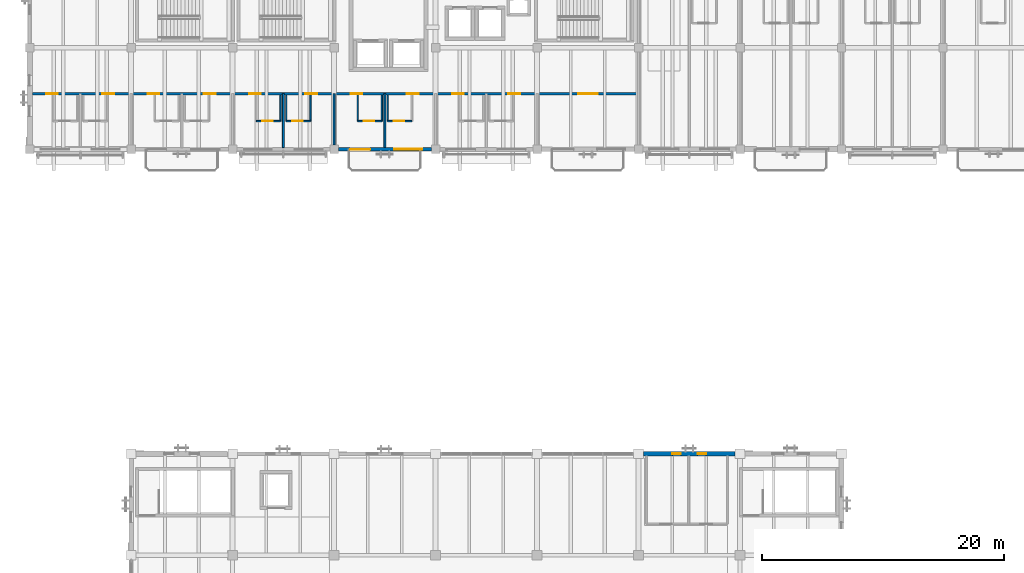
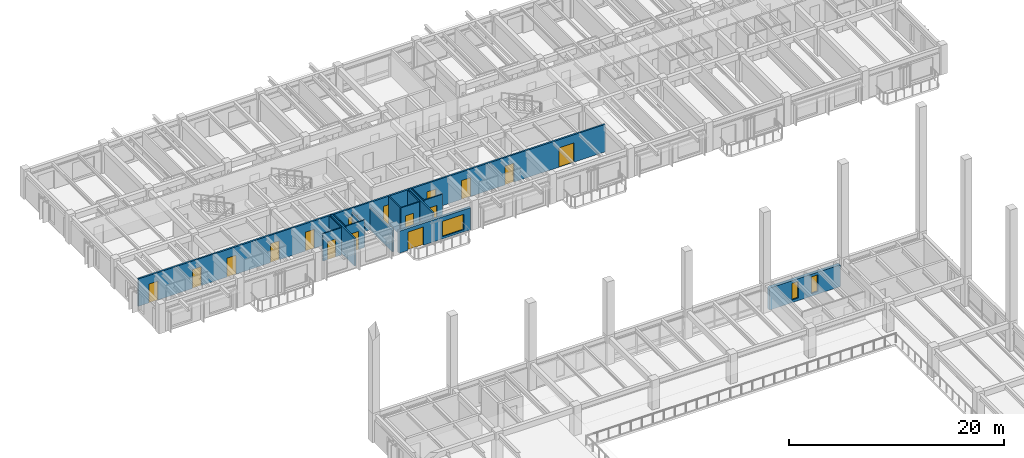
# One storey, part 34 of 64: 16 doors, 16 walls, 3 windows, 19 openings.
"""IFC4 building model written with IfcOpenShell, lengths in metres."""

import ifcopenshell
import ifcopenshell.guid

model = None  # the IFC model being written
_history = None  # IfcOwnerHistory: only IFC2X3 demands one
_inside = {}  # id of a spatial element -> (the spatial element, [elements in it])
_under = {}  # id of a project, library or spatial element -> (it, [spatial elements below it])
_declared = {}  # id of a project -> (the project, [libraries it declares])
_typed = {}  # id of a type object -> (the type object, [elements of that type])
_made_of = {}  # id of a material, layer set ... -> (it, [elements and type objects made of it])


def new_model(schema):
    """Start an empty IFC model of exactly this schema.

    Asked for "IFC4X3", IfcOpenShell would pick the latest addendum, in which some entities
    have other attributes; the version numbers below select the first issue.
    IFC2X3 requires an IfcOwnerHistory on every rooted entity: one is made here for all.
    """
    global model, _history
    if schema == "IFC4X3":
        model = ifcopenshell.file(schema_version=(4, 3, 0, 0))
    else:
        model = ifcopenshell.file(schema=schema)
    _inside.clear()
    _under.clear()
    _declared.clear()
    _typed.clear()
    _made_of.clear()
    _history = None
    if model.schema == "IFC2X3":
        org = make("IfcOrganization", Name="unknown")
        user = make(
            "IfcPersonAndOrganization",
            ThePerson=make("IfcPerson", FamilyName="unknown"),
            TheOrganization=org,
        )
        app = make(
            "IfcApplication",
            ApplicationDeveloper=org,
            Version="unknown",
            ApplicationFullName="unknown",
            ApplicationIdentifier="unknown",
        )
        _history = make(
            "IfcOwnerHistory",
            OwningUser=user,
            OwningApplication=app,
            ChangeAction="ADDED",
            CreationDate=0,
        )
    return model


def make(cls, **values):
    """One entity of the class cls with the attributes given. An attribute that is None is left unset."""
    return model.create_entity(
        cls, **{name: value for name, value in values.items() if value is not None}
    )


def rooted(cls, **values):
    """An entity with a GlobalId (a new one), such as an element, a storey or a relation."""
    return make(cls, GlobalId=ifcopenshell.guid.new(), OwnerHistory=_history, **values)


def si_unit(unit_type, name, prefix=None):
    """IfcSIUnit, for example si_unit("LENGTHUNIT", "METRE", prefix="MILLI")."""
    return make("IfcSIUnit", UnitType=unit_type, Prefix=prefix, Name=name)


def assignment(units):
    """IfcUnitAssignment: the units of a project."""
    return None if units is None else make("IfcUnitAssignment", Units=units)


def point(xyz):
    """IfcCartesianPoint."""
    return None if xyz is None else make("IfcCartesianPoint", Coordinates=xyz)


def direction(xyz):
    """IfcDirection."""
    return None if xyz is None else make("IfcDirection", DirectionRatios=xyz)


def frame(location, z_axis=None, x_axis=None):
    """IfcAxis2Placement3D, a coordinate frame: its origin and axes. An axis left out is left unset."""
    return make(
        "IfcAxis2Placement3D",
        Location=point(location),
        Axis=direction(z_axis),
        RefDirection=direction(x_axis),
    )


def frame_2d(location, x_axis=None):
    """IfcAxis2Placement2D, a coordinate frame in the plane: its origin and x axis."""
    return make(
        "IfcAxis2Placement2D", Location=point(location), RefDirection=direction(x_axis)
    )


def origin():
    """The frame at (0, 0, 0) with its axes left unset."""
    return frame((0.0, 0.0, 0.0))


def place(relative_to, where):
    """IfcLocalPlacement: puts the frame where relative to a parent placement (None: the world)."""
    return make(
        "IfcLocalPlacement", PlacementRelTo=relative_to, RelativePlacement=where
    )


def context(
    kind, dimensions, precision=None, world=None, true_north=None, identifier=None
):
    """IfcGeometricRepresentationContext, for example the 3D "Model" context."""
    return make(
        "IfcGeometricRepresentationContext",
        ContextIdentifier=identifier,
        ContextType=kind,
        CoordinateSpaceDimension=dimensions,
        Precision=precision,
        WorldCoordinateSystem=world,
        TrueNorth=true_north,
    )


def subcontext(parent, identifier, kind, view, scale=None):
    """IfcGeometricRepresentationSubContext, for example "Body" below "Model"."""
    return make(
        "IfcGeometricRepresentationSubContext",
        ContextIdentifier=identifier,
        ContextType=kind,
        ParentContext=parent,
        TargetScale=scale,
        TargetView=view,
    )


def project(units=None, contexts=None):
    """IfcProject with its units and contexts."""
    return rooted(
        "IfcProject",
        Name="project",
        RepresentationContexts=contexts,
        UnitsInContext=assignment(units),
    )


def spatial(cls, under=None, at=None, **own):
    """A site, building, storey or space (cls), placed at a placement, below another one or the project."""
    s = rooted(cls, ObjectPlacement=at, **own)
    if under is not None:
        _under.setdefault(under.id(), (under, []))[1].append(s)
    return s


def profile(cls, at=None, kind="AREA", **sizes):
    """A parametric profile (cls). Its sizes go by their IFC names, for example OverallWidth=200.0."""
    return make(cls, ProfileType=kind, Position=at, **sizes)


def rectangle(**sizes):
    """IfcRectangleProfileDef."""
    return profile("IfcRectangleProfileDef", **sizes)


def extrude(swept, where, along, depth):
    """IfcExtrudedAreaSolid: the profile swept, set in the frame where, extruded along a direction by depth."""
    return make(
        "IfcExtrudedAreaSolid",
        SweptArea=swept,
        Position=where,
        ExtrudedDirection=direction(along),
        Depth=depth,
    )


def shape(context_of_items, identifier, shape_type, items):
    """IfcShapeRepresentation: the items that make up one representation, for example the "Body"."""
    return make(
        "IfcShapeRepresentation",
        ContextOfItems=context_of_items,
        RepresentationIdentifier=identifier,
        RepresentationType=shape_type,
        Items=items,
    )


def material(Name=None, Category=None):
    """IfcMaterial."""
    return make("IfcMaterial", Name=Name, Category=Category)


def layer(
    of_material, thickness, ventilated=None, Name=None, Category=None, Priority=None
):
    """IfcMaterialLayer: one layer of a wall or slab, of a material (None: an air gap)."""
    return make(
        "IfcMaterialLayer",
        Material=of_material,
        LayerThickness=thickness,
        IsVentilated=ventilated,
        Name=Name,
        Category=Category,
        Priority=Priority,
    )


def layer_set(layers, Name=None):
    """IfcMaterialLayerSet."""
    return make("IfcMaterialLayerSet", MaterialLayers=layers, LayerSetName=Name)


def made_of(thing, what):
    """Note that an element or type object is made of a material, layer set ...; save() writes the relation."""
    if what is not None:
        _made_of.setdefault(what.id(), (what, []))[1].append(thing)
    return thing


def type_object(cls, material=None, **own):
    """A type object (cls), such as IfcWallType, which elements share."""
    return made_of(rooted(cls, **own), material)


def element(
    cls,
    number,
    at=None,
    inside=None,
    cuts=None,
    type_object=None,
    material=None,
    context=None,
    identifier="Body",
    shape_type=None,
    held_by="IfcProductDefinitionShape",
    body=None,
    shapes=None,
    **own,
):
    """One element of the class cls, such as IfcWall. Its Tag is "e" and its number.

    at: its placement. inside: the storey or other place that contains it. cuts: it is an
    opening in that element (IfcRelVoidsElement). A single representation is given by context,
    identifier, shape_type and body (its items); several are given by shapes. held_by: the class
    of the entity that holds the representations. save() writes the other relations.
    """
    e = rooted(cls, Tag="e%d" % number, ObjectPlacement=at, **own)
    if body is not None:
        shapes = [shape(context, identifier, shape_type, body)]
    if shapes is not None:
        e.Representation = make(held_by, Representations=shapes)
    if inside is not None:
        _inside.setdefault(inside.id(), (inside, []))[1].append(e)
    if cuts is not None:
        rooted(
            "IfcRelVoidsElement", RelatingBuildingElement=cuts, RelatedOpeningElement=e
        )
    if type_object is not None:
        _typed.setdefault(type_object.id(), (type_object, []))[1].append(e)
    return made_of(e, material)


def fill(opening, filler):
    """IfcRelFillsElement: the door or window that sits in an opening."""
    return rooted(
        "IfcRelFillsElement",
        RelatingOpeningElement=opening,
        RelatedBuildingElement=filler,
    )


def aggregate(whole, parts):
    """IfcRelAggregates: a whole, such as a stair, and the parts it consists of."""
    return rooted("IfcRelAggregates", RelatingObject=whole, RelatedObjects=parts)


def save(model, path):
    """Write the relations noted so far, then the file.

    IfcRelAggregates (storeys below a building ...), IfcRelContainedInSpatialStructure (elements
    in a storey), IfcRelDefinesByType, IfcRelAssociatesMaterial and IfcRelDeclares: one each for
    every whole, place, type object, material and project.
    """
    for whole, parts in _under.values():
        aggregate(whole, parts)
    for where, things in _inside.values():
        rooted(
            "IfcRelContainedInSpatialStructure",
            RelatedElements=things,
            RelatingStructure=where,
        )
    for kind, things in _typed.values():
        rooted("IfcRelDefinesByType", RelatedObjects=things, RelatingType=kind)
    for what, things in _made_of.values():
        rooted("IfcRelAssociatesMaterial", RelatedObjects=things, RelatingMaterial=what)
    for by, libraries in _declared.values():
        rooted("IfcRelDeclares", RelatingContext=by, RelatedDefinitions=libraries)
    model.write(path)


model = new_model("IFC4")

# Units and contexts
model_context = context("Model", 3, precision=1e-05, world=origin(), true_north=direction((0.0, 1.0)))
body_context = subcontext(model_context, "Body", "Model", "MODEL_VIEW")
ifc_project = project(units=[si_unit("LENGTHUNIT", "METRE"), si_unit("AREAUNIT", "SQUARE_METRE"), si_unit("VOLUMEUNIT", "CUBIC_METRE"), si_unit("PLANEANGLEUNIT", "RADIAN"), si_unit("MASSUNIT", "GRAM", prefix="KILO")], contexts=[model_context])

# Site, building, storey
site_placement = place(None, origin())
site = spatial("IfcSite", under=ifc_project, at=site_placement, CompositionType="ELEMENT")
building_placement = place(site_placement, origin())
building = spatial("IfcBuilding", under=site, at=building_placement, Name="Cumbredor Promenade Congress Hotel", CompositionType="ELEMENT")
storey_placement = place(building_placement, frame((0.0, 0.0, 18.47998046875)))
storey = spatial("IfcBuildingStorey", under=building, at=storey_placement, Name="L05", CompositionType="ELEMENT", Elevation=18.47998046875)

# Wall, opening, door
ifc_material_1 = material(Name="Moisture-resistant gypsum board on steel studs", Category="steel")
ifc_layer_1 = layer(ifc_material_1, 0.114990234375, Name="Moisture-resistant gypsum board on steel studs", Category="steel")
ifc_layer_set_1 = layer_set([ifc_layer_1], Name="Moisture-resistant gypsum board on steel studs")
wall_type_1 = type_object("IfcWallType", Name="WL-BATH-115", PredefinedType="PARTITIONING", material=ifc_layer_set_1)
wall_1_placement = place(storey_placement, frame((18.760009765625, 94.72998046875, 0.0), z_axis=(0.0, 0.0, 1.0), x_axis=(1.0, 0.0, 0.0)))
wall_1 = element("IfcWall", 1, at=wall_1_placement, inside=storey, type_object=wall_type_1, Name="L05 Interior Partition W-L05-BH-0575", PredefinedType="PARTITIONING", context=body_context, shape_type="SweptSolid", body=[
    extrude(rectangle(XDim=2.0, YDim=0.114990234375, at=frame_2d((1.0, 0.0))), origin(), (0.0, 0.0, 1.0), 3.1201171875),
])
opening_1_placement = place(wall_1_placement, frame((0.5, 0.0, 0.0)))
opening_1 = element("IfcOpeningElement", 2, at=opening_1_placement, cuts=wall_1, Name="Opening ID-01", PredefinedType="OPENING", context=body_context, shape_type="SweptSolid", body=[
    extrude(rectangle(XDim=0.860107421875, YDim=2.050048828125, at=frame_2d((0.43017578125, 1.02490234375))), frame((0.0, 0.0673828125, 0.0), z_axis=(0.0, -1.0, 0.0), x_axis=(1.0, 0.0, 0.0)), (0.0, 0.0, 1.0), 0.135009765625),
])
ifc_material_2 = material(Name="Kiln-dried tropical hardwood", Category="wood")
door_type_1 = type_object("IfcDoorType", Name="DR-BATH-860", OperationType="NOTDEFINED", PredefinedType="DOOR", material=ifc_material_2)
door_1_placement = place(opening_1_placement, origin())
door_1 = element("IfcDoor", 3, at=door_1_placement, inside=storey, type_object=door_type_1, Name="L05 Interior Door W-L05-BH-0575-01", OperationType="SINGLE_SWING_LEFT", OverallHeight=2.050048828125, OverallWidth=0.860107421875, PredefinedType="DOOR", context=body_context, shape_type="SweptSolid", body=[
    extrude(rectangle(XDim=0.860107421875, YDim=2.050048828125, at=frame_2d((0.43017578125, 1.02490234375))), frame((0.0, 0.02490234375, 0.0), z_axis=(0.0, -1.0, 0.0), x_axis=(1.0, 0.0, 0.0)), (0.0, 0.0, 1.0), 0.050048828125),
])
fill(opening_1, door_1)

# Wall
wall_2_placement = place(storey_placement, frame((20.760009765625, 94.72998046875, 0.0), z_axis=(0.0, 0.0, 1.0), x_axis=(0.0, 1.0, 0.0)))
element("IfcWall", 4, at=wall_2_placement, inside=storey, type_object=wall_type_1, Name="L05 Interior Partition W-L05-BV2-0575", PredefinedType="PARTITIONING", context=body_context, shape_type="SweptSolid", body=[
    extrude(rectangle(XDim=2.14990234375, YDim=0.114990234375, at=frame_2d((1.074951171875, 0.0))), origin(), (0.0, 0.0, 1.0), 3.1201171875),
])

# Wall, opening, door
wall_3_placement = place(storey_placement, frame((21.239990234375, 94.72998046875, 0.0), z_axis=(0.0, 0.0, 1.0), x_axis=(1.0, 0.0, 0.0)))
wall_3 = element("IfcWall", 5, at=wall_3_placement, inside=storey, type_object=wall_type_1, Name="L05 Interior Partition W-L05-BH-0576", PredefinedType="PARTITIONING", context=body_context, shape_type="SweptSolid", body=[
    extrude(rectangle(XDim=2.0, YDim=0.114990234375, at=frame_2d((1.0, 0.0))), origin(), (0.0, 0.0, 1.0), 3.1201171875),
])
opening_2_placement = place(wall_3_placement, frame((0.5, 0.0, 0.0)))
opening_2 = element("IfcOpeningElement", 6, at=opening_2_placement, cuts=wall_3, Name="Opening ID-01", PredefinedType="OPENING", context=body_context, shape_type="SweptSolid", body=[
    extrude(rectangle(XDim=0.860107421875, YDim=2.050048828125, at=frame_2d((0.43017578125, 1.02490234375))), frame((0.0, 0.0673828125, 0.0), z_axis=(0.0, -1.0, 0.0), x_axis=(1.0, 0.0, 0.0)), (0.0, 0.0, 1.0), 0.135009765625),
])
door_2_placement = place(opening_2_placement, origin())
door_2 = element("IfcDoor", 7, at=door_2_placement, inside=storey, type_object=door_type_1, Name="L05 Interior Door W-L05-BH-0576-01", OperationType="SINGLE_SWING_RIGHT", OverallHeight=2.050048828125, OverallWidth=0.860107421875, PredefinedType="DOOR", context=body_context, shape_type="SweptSolid", body=[
    extrude(rectangle(XDim=0.860107421875, YDim=2.050048828125, at=frame_2d((0.43017578125, 1.02490234375))), frame((0.0, 0.02490234375, 0.0), z_axis=(0.0, -1.0, 0.0), x_axis=(1.0, 0.0, 0.0)), (0.0, 0.0, 1.0), 0.050048828125),
])
fill(opening_2, door_2)

# Walls
wall_4_placement = place(storey_placement, frame((21.239990234375, 94.72998046875, 0.0), z_axis=(0.0, 0.0, 1.0), x_axis=(0.0, 1.0, 0.0)))
element("IfcWall", 8, at=wall_4_placement, inside=storey, type_object=wall_type_1, Name="L05 Interior Partition W-L05-BV1-0576", PredefinedType="PARTITIONING", context=body_context, shape_type="SweptSolid", body=[
    extrude(rectangle(XDim=2.14990234375, YDim=0.114990234375, at=frame_2d((1.074951171875, 0.0))), origin(), (0.0, 0.0, 1.0), 3.1201171875),
])
wall_5_placement = place(storey_placement, frame((23.239990234375, 94.72998046875, 0.0), z_axis=(0.0, 0.0, 1.0), x_axis=(0.0, 1.0, 0.0)))
element("IfcWall", 9, at=wall_5_placement, inside=storey, type_object=wall_type_1, Name="L05 Interior Partition W-L05-BV2-0576", PredefinedType="PARTITIONING", context=body_context, shape_type="SweptSolid", body=[
    extrude(rectangle(XDim=2.14990234375, YDim=0.114990234375, at=frame_2d((1.074951171875, 0.0))), origin(), (0.0, 0.0, 1.0), 2.64208984375),
])

# Wall, opening, door
wall_6_placement = place(storey_placement, frame((27.159912109375, 94.72998046875, 0.0), z_axis=(0.0, 0.0, 1.0), x_axis=(1.0, 0.0, 0.0)))
wall_6 = element("IfcWall", 10, at=wall_6_placement, inside=storey, type_object=wall_type_1, Name="L05 Interior Partition W-L05-BH-0577", PredefinedType="PARTITIONING", context=body_context, shape_type="SweptSolid", body=[
    extrude(rectangle(XDim=2.0, YDim=0.114990234375, at=frame_2d((1.0, 0.0))), origin(), (0.0, 0.0, 1.0), 3.1201171875),
])
opening_3_placement = place(wall_6_placement, frame((0.5, 0.0, 0.0)))
opening_3 = element("IfcOpeningElement", 11, at=opening_3_placement, cuts=wall_6, Name="Opening ID-01", PredefinedType="OPENING", context=body_context, shape_type="SweptSolid", body=[
    extrude(rectangle(XDim=0.860107421875, YDim=2.050048828125, at=frame_2d((0.43017578125, 1.02490234375))), frame((0.0, 0.0673828125, 0.0), z_axis=(0.0, -1.0, 0.0), x_axis=(1.0, 0.0, 0.0)), (0.0, 0.0, 1.0), 0.135009765625),
])
door_3_placement = place(opening_3_placement, origin())
door_3 = element("IfcDoor", 12, at=door_3_placement, inside=storey, type_object=door_type_1, Name="L05 Interior Door W-L05-BH-0577-01", OperationType="SINGLE_SWING_LEFT", OverallHeight=2.050048828125, OverallWidth=0.860107421875, PredefinedType="DOOR", context=body_context, shape_type="SweptSolid", body=[
    extrude(rectangle(XDim=0.860107421875, YDim=2.050048828125, at=frame_2d((0.43017578125, 1.02490234375))), frame((0.0, 0.02490234375, 0.0), z_axis=(0.0, -1.0, 0.0), x_axis=(1.0, 0.0, 0.0)), (0.0, 0.0, 1.0), 0.050048828125),
])
fill(opening_3, door_3)

# Walls
for number, where, z_axis, x_axis, name in (
    (13, (27.159912109375, 94.72998046875, 0.0), (0.0, 0.0, 1.0), (0.0, 1.0, 0.0), "L05 Interior Partition W-L05-BV1-0577"),
    (14, (29.159912109375, 94.72998046875, 0.0), (0.0, 0.0, 1.0), (0.0, 1.0, 0.0), "L05 Interior Partition W-L05-BV2-0577"),
):
    element("IfcWall", number, at=place(storey_placement, frame(where, z_axis=z_axis, x_axis=x_axis)), inside=storey, type_object=wall_type_1, Name=name, PredefinedType="PARTITIONING", context=body_context, shape_type="SweptSolid", body=[
        extrude(rectangle(XDim=2.14990234375, YDim=0.114990234375, at=frame_2d((1.074951171875, 0.0))), origin(), (0.0, 0.0, 1.0), 3.1201171875),
    ])

# Wall, opening, door
wall_7_placement = place(storey_placement, frame((29.639892578125, 94.72998046875, 0.0), z_axis=(0.0, 0.0, 1.0), x_axis=(1.0, 0.0, 0.0)))
wall_7 = element("IfcWall", 15, at=wall_7_placement, inside=storey, type_object=wall_type_1, Name="L05 Interior Partition W-L05-BH-0578", PredefinedType="PARTITIONING", context=body_context, shape_type="SweptSolid", body=[
    extrude(rectangle(XDim=2.0, YDim=0.114990234375, at=frame_2d((1.0, 0.0))), origin(), (0.0, 0.0, 1.0), 3.1201171875),
])
opening_4_placement = place(wall_7_placement, frame((0.5, 0.0, 0.0)))
opening_4 = element("IfcOpeningElement", 16, at=opening_4_placement, cuts=wall_7, Name="Opening ID-01", PredefinedType="OPENING", context=body_context, shape_type="SweptSolid", body=[
    extrude(rectangle(XDim=0.860107421875, YDim=2.050048828125, at=frame_2d((0.43017578125, 1.02490234375))), frame((0.0, 0.0673828125, 0.0), z_axis=(0.0, -1.0, 0.0), x_axis=(1.0, 0.0, 0.0)), (0.0, 0.0, 1.0), 0.135009765625),
])
door_4_placement = place(opening_4_placement, origin())
door_4 = element("IfcDoor", 17, at=door_4_placement, inside=storey, type_object=door_type_1, Name="L05 Interior Door W-L05-BH-0578-01", OperationType="SINGLE_SWING_RIGHT", OverallHeight=2.050048828125, OverallWidth=0.860107421875, PredefinedType="DOOR", context=body_context, shape_type="SweptSolid", body=[
    extrude(rectangle(XDim=0.860107421875, YDim=2.050048828125, at=frame_2d((0.43017578125, 1.02490234375))), frame((0.0, 0.02490234375, 0.0), z_axis=(0.0, -1.0, 0.0), x_axis=(1.0, 0.0, 0.0)), (0.0, 0.0, 1.0), 0.050048828125),
])
fill(opening_4, door_4)

# Wall
wall_8_placement = place(storey_placement, frame((29.639892578125, 94.72998046875, 0.0), z_axis=(0.0, 0.0, 1.0), x_axis=(0.0, 1.0, 0.0)))
element("IfcWall", 18, at=wall_8_placement, inside=storey, type_object=wall_type_1, Name="L05 Interior Partition W-L05-BV1-0578", PredefinedType="PARTITIONING", context=body_context, shape_type="SweptSolid", body=[
    extrude(rectangle(XDim=2.14990234375, YDim=0.114990234375, at=frame_2d((1.074951171875, 0.0))), origin(), (0.0, 0.0, 1.0), 3.1201171875),
])

# Wall, openings, doors
ifc_material_3 = material(Name="Fire-rated hotel corridor wall")
ifc_layer_2 = layer(ifc_material_3, 0.179931640625, Name="Fire-rated hotel corridor wall")
ifc_layer_set_2 = layer_set([ifc_layer_2], Name="Fire-rated hotel corridor wall")
wall_type_2 = type_object("IfcWallType", Name="WL-CORR-180", PredefinedType="PARTITIONING", material=ifc_layer_set_2)
wall_9_placement = place(storey_placement, frame((0.22509765625, 97.0, 0.0), z_axis=(0.0, 0.0, 1.0), x_axis=(1.0, 0.0, 0.0)))
wall_9 = element("IfcWall", 19, at=wall_9_placement, inside=storey, type_object=wall_type_2, Name="L05 Interior Partition W-L05-SC-CORRW", PredefinedType="PARTITIONING", context=body_context, shape_type="SweptSolid", body=[
    extrude(rectangle(XDim=50.1748046875, YDim=0.179931640625, at=frame_2d((25.08740234375, 0.0))), origin(), (0.0, 0.0, 1.0), 3.1201171875),
])
opening_5_placement = place(wall_9_placement, frame((1.14501953125, 0.0, 0.0)))
opening_5 = element("IfcOpeningElement", 20, at=opening_5_placement, cuts=wall_9, Name="Opening FD-01", PredefinedType="OPENING", context=body_context, shape_type="SweptSolid", body=[
    extrude(rectangle(XDim=0.9599609375, YDim=2.14990234375, at=frame_2d((0.47998046875, 1.074951171875))), frame((0.0, 0.10009765625, 0.0), z_axis=(0.0, -1.0, 0.0), x_axis=(1.0, 0.0, 0.0)), (0.0, 0.0, 1.0), 0.199951171875),
])
opening_6_placement = place(wall_9_placement, frame((5.804931640625, 0.0, 0.0)))
opening_6 = element("IfcOpeningElement", 21, at=opening_6_placement, cuts=wall_9, Name="Opening FD-01", PredefinedType="OPENING", context=body_context, shape_type="SweptSolid", body=[
    extrude(rectangle(XDim=0.9599609375, YDim=2.14990234375, at=frame_2d((0.47998046875, 1.074951171875))), frame((0.0, 0.10009765625, 0.0), z_axis=(0.0, -1.0, 0.0), x_axis=(1.0, 0.0, 0.0)), (0.0, 0.0, 1.0), 0.199951171875),
])
opening_7_placement = place(wall_9_placement, frame((9.544921875, 0.0, 0.0)))
opening_7 = element("IfcOpeningElement", 22, at=opening_7_placement, cuts=wall_9, Name="Opening FD-01", PredefinedType="OPENING", context=body_context, shape_type="SweptSolid", body=[
    extrude(rectangle(XDim=0.9599609375, YDim=2.14990234375, at=frame_2d((0.47998046875, 1.074951171875))), frame((0.0, 0.10009765625, 0.0), z_axis=(0.0, -1.0, 0.0), x_axis=(1.0, 0.0, 0.0)), (0.0, 0.0, 1.0), 0.199951171875),
])
opening_8_placement = place(wall_9_placement, frame((14.205078125, 0.0, 0.0)))
opening_8 = element("IfcOpeningElement", 23, at=opening_8_placement, cuts=wall_9, Name="Opening FD-01", PredefinedType="OPENING", context=body_context, shape_type="SweptSolid", body=[
    extrude(rectangle(XDim=0.9599609375, YDim=2.14990234375, at=frame_2d((0.47998046875, 1.074951171875))), frame((0.0, 0.10009765625, 0.0), z_axis=(0.0, -1.0, 0.0), x_axis=(1.0, 0.0, 0.0)), (0.0, 0.0, 1.0), 0.199951171875),
])
opening_9_placement = place(wall_9_placement, frame((17.945068359375, 0.0, 0.0)))
opening_9 = element("IfcOpeningElement", 24, at=opening_9_placement, cuts=wall_9, Name="Opening FD-01", PredefinedType="OPENING", context=body_context, shape_type="SweptSolid", body=[
    extrude(rectangle(XDim=0.9599609375, YDim=2.14990234375, at=frame_2d((0.47998046875, 1.074951171875))), frame((0.0, 0.10009765625, 0.0), z_axis=(0.0, -1.0, 0.0), x_axis=(1.0, 0.0, 0.0)), (0.0, 0.0, 1.0), 0.199951171875),
])
opening_10_placement = place(wall_9_placement, frame((22.60498046875, 0.0, 0.0)))
opening_10 = element("IfcOpeningElement", 25, at=opening_10_placement, cuts=wall_9, Name="Opening FD-01", PredefinedType="OPENING", context=body_context, shape_type="SweptSolid", body=[
    extrude(rectangle(XDim=0.9599609375, YDim=2.14990234375, at=frame_2d((0.47998046875, 1.074951171875))), frame((0.0, 0.10009765625, 0.0), z_axis=(0.0, -1.0, 0.0), x_axis=(1.0, 0.0, 0.0)), (0.0, 0.0, 1.0), 0.199951171875),
])
opening_11_placement = place(wall_9_placement, frame((26.344970703125, 0.0, 0.0)))
opening_11 = element("IfcOpeningElement", 26, at=opening_11_placement, cuts=wall_9, Name="Opening FD-01", PredefinedType="OPENING", context=body_context, shape_type="SweptSolid", body=[
    extrude(rectangle(XDim=0.9599609375, YDim=2.14990234375, at=frame_2d((0.47998046875, 1.074951171875))), frame((0.0, 0.10009765625, 0.0), z_axis=(0.0, -1.0, 0.0), x_axis=(1.0, 0.0, 0.0)), (0.0, 0.0, 1.0), 0.199951171875),
])
opening_12_placement = place(wall_9_placement, frame((31.0048828125, 0.0, 0.0)))
opening_12 = element("IfcOpeningElement", 27, at=opening_12_placement, cuts=wall_9, Name="Opening FD-01", PredefinedType="OPENING", context=body_context, shape_type="SweptSolid", body=[
    extrude(rectangle(XDim=0.9599609375, YDim=2.14990234375, at=frame_2d((0.47998046875, 1.074951171875))), frame((0.0, 0.10009765625, 0.0), z_axis=(0.0, -1.0, 0.0), x_axis=(1.0, 0.0, 0.0)), (0.0, 0.0, 1.0), 0.199951171875),
])
opening_13_placement = place(wall_9_placement, frame((34.7451171875, 0.0, 0.0)))
opening_13 = element("IfcOpeningElement", 28, at=opening_13_placement, cuts=wall_9, Name="Opening FD-01", PredefinedType="OPENING", context=body_context, shape_type="SweptSolid", body=[
    extrude(rectangle(XDim=0.9599609375, YDim=2.14990234375, at=frame_2d((0.47998046875, 1.074951171875))), frame((0.0, 0.10009765625, 0.0), z_axis=(0.0, -1.0, 0.0), x_axis=(1.0, 0.0, 0.0)), (0.0, 0.0, 1.0), 0.199951171875),
])
opening_14_placement = place(wall_9_placement, frame((39.405029296875, 0.0, 0.0)))
opening_14 = element("IfcOpeningElement", 29, at=opening_14_placement, cuts=wall_9, Name="Opening FD-01", PredefinedType="OPENING", context=body_context, shape_type="SweptSolid", body=[
    extrude(rectangle(XDim=0.9599609375, YDim=2.14990234375, at=frame_2d((0.47998046875, 1.074951171875))), frame((0.0, 0.10009765625, 0.0), z_axis=(0.0, -1.0, 0.0), x_axis=(1.0, 0.0, 0.0)), (0.0, 0.0, 1.0), 0.199951171875),
])
opening_15_placement = place(wall_9_placement, frame((45.175048828125, 0.0, 0.0)))
opening_15 = element("IfcOpeningElement", 30, at=opening_15_placement, cuts=wall_9, Name="Opening FD-08", PredefinedType="OPENING", context=body_context, shape_type="SweptSolid", body=[
    extrude(rectangle(XDim=1.6201171875, YDim=2.199951171875, at=frame_2d((0.81005859375, 1.10009765625))), frame((0.0, 0.10009765625, 0.0), z_axis=(0.0, -1.0, 0.0), x_axis=(1.0, 0.0, 0.0)), (0.0, 0.0, 1.0), 0.199951171875),
])
ifc_material_4 = material(Name="Solid-core fire-rated tropical hardwood", Category="wood")
door_type_2 = type_object("IfcDoorType", Name="DR-DBL-FD60-1600", OperationType="DOUBLE_DOOR_SINGLE_SWING", PredefinedType="DOOR", material=ifc_material_4)
door_5_placement = place(opening_15_placement, origin())
door_5 = element("IfcDoor", 31, at=door_5_placement, inside=storey, type_object=door_type_2, Name="L05 Interior Door W-L05-SC-CORRW-11", OperationType="DOUBLE_DOOR_SINGLE_SWING", OverallHeight=2.199951171875, OverallWidth=1.6201171875, PredefinedType="DOOR", context=body_context, shape_type="SweptSolid", body=[
    extrude(rectangle(XDim=1.6201171875, YDim=2.199951171875, at=frame_2d((0.81005859375, 1.10009765625))), frame((0.0, 0.02490234375, 0.0), z_axis=(0.0, -1.0, 0.0), x_axis=(1.0, 0.0, 0.0)), (0.0, 0.0, 1.0), 0.050048828125),
])
fill(opening_15, door_5)
door_type_3 = type_object("IfcDoorType", Name="DR-GUEST-FD30-950", OperationType="NOTDEFINED", PredefinedType="DOOR", material=ifc_material_4)
door_6_placement = place(opening_5_placement, origin())
door_6 = element("IfcDoor", 32, at=door_6_placement, inside=storey, type_object=door_type_3, Name="L05 Interior Door W-L05-SC-CORRW-01", OperationType="SINGLE_SWING_RIGHT", OverallHeight=2.14990234375, OverallWidth=0.9599609375, PredefinedType="DOOR", context=body_context, shape_type="SweptSolid", body=[
    extrude(rectangle(XDim=0.9599609375, YDim=2.14990234375, at=frame_2d((0.47998046875, 1.074951171875))), frame((0.0, 0.02490234375, 0.0), z_axis=(0.0, -1.0, 0.0), x_axis=(1.0, 0.0, 0.0)), (0.0, 0.0, 1.0), 0.050048828125),
])
fill(opening_5, door_6)
door_7_placement = place(opening_6_placement, origin())
door_7 = element("IfcDoor", 33, at=door_7_placement, inside=storey, type_object=door_type_3, Name="L05 Interior Door W-L05-SC-CORRW-02", OperationType="SINGLE_SWING_LEFT", OverallHeight=2.14990234375, OverallWidth=0.9599609375, PredefinedType="DOOR", context=body_context, shape_type="SweptSolid", body=[
    extrude(rectangle(XDim=0.9599609375, YDim=2.14990234375, at=frame_2d((0.47998046875, 1.074951171875))), frame((0.0, 0.02490234375, 0.0), z_axis=(0.0, -1.0, 0.0), x_axis=(1.0, 0.0, 0.0)), (0.0, 0.0, 1.0), 0.050048828125),
])
fill(opening_6, door_7)
door_8_placement = place(opening_7_placement, origin())
door_8 = element("IfcDoor", 34, at=door_8_placement, inside=storey, type_object=door_type_3, Name="L05 Interior Door W-L05-SC-CORRW-03", OperationType="SINGLE_SWING_RIGHT", OverallHeight=2.14990234375, OverallWidth=0.9599609375, PredefinedType="DOOR", context=body_context, shape_type="SweptSolid", body=[
    extrude(rectangle(XDim=0.9599609375, YDim=2.14990234375, at=frame_2d((0.47998046875, 1.074951171875))), frame((0.0, 0.02490234375, 0.0), z_axis=(0.0, -1.0, 0.0), x_axis=(1.0, 0.0, 0.0)), (0.0, 0.0, 1.0), 0.050048828125),
])
fill(opening_7, door_8)
door_9_placement = place(opening_8_placement, origin())
door_9 = element("IfcDoor", 35, at=door_9_placement, inside=storey, type_object=door_type_3, Name="L05 Interior Door W-L05-SC-CORRW-04", OperationType="SINGLE_SWING_LEFT", OverallHeight=2.14990234375, OverallWidth=0.9599609375, PredefinedType="DOOR", context=body_context, shape_type="SweptSolid", body=[
    extrude(rectangle(XDim=0.9599609375, YDim=2.14990234375, at=frame_2d((0.47998046875, 1.074951171875))), frame((0.0, 0.02490234375, 0.0), z_axis=(0.0, -1.0, 0.0), x_axis=(1.0, 0.0, 0.0)), (0.0, 0.0, 1.0), 0.050048828125),
])
fill(opening_8, door_9)
door_10_placement = place(opening_9_placement, origin())
door_10 = element("IfcDoor", 36, at=door_10_placement, inside=storey, type_object=door_type_3, Name="L05 Interior Door W-L05-SC-CORRW-05", OperationType="SINGLE_SWING_RIGHT", OverallHeight=2.14990234375, OverallWidth=0.9599609375, PredefinedType="DOOR", context=body_context, shape_type="SweptSolid", body=[
    extrude(rectangle(XDim=0.9599609375, YDim=2.14990234375, at=frame_2d((0.47998046875, 1.074951171875))), frame((0.0, 0.02490234375, 0.0), z_axis=(0.0, -1.0, 0.0), x_axis=(1.0, 0.0, 0.0)), (0.0, 0.0, 1.0), 0.050048828125),
])
fill(opening_9, door_10)
door_11_placement = place(opening_10_placement, origin())
door_11 = element("IfcDoor", 37, at=door_11_placement, inside=storey, type_object=door_type_3, Name="L05 Interior Door W-L05-SC-CORRW-06", OperationType="SINGLE_SWING_LEFT", OverallHeight=2.14990234375, OverallWidth=0.9599609375, PredefinedType="DOOR", context=body_context, shape_type="SweptSolid", body=[
    extrude(rectangle(XDim=0.9599609375, YDim=2.14990234375, at=frame_2d((0.47998046875, 1.074951171875))), frame((0.0, 0.02490234375, 0.0), z_axis=(0.0, -1.0, 0.0), x_axis=(1.0, 0.0, 0.0)), (0.0, 0.0, 1.0), 0.050048828125),
])
fill(opening_10, door_11)
door_12_placement = place(opening_11_placement, origin())
door_12 = element("IfcDoor", 38, at=door_12_placement, inside=storey, type_object=door_type_3, Name="L05 Interior Door W-L05-SC-CORRW-07", OperationType="SINGLE_SWING_RIGHT", OverallHeight=2.14990234375, OverallWidth=0.9599609375, PredefinedType="DOOR", context=body_context, shape_type="SweptSolid", body=[
    extrude(rectangle(XDim=0.9599609375, YDim=2.14990234375, at=frame_2d((0.47998046875, 1.074951171875))), frame((0.0, 0.02490234375, 0.0), z_axis=(0.0, -1.0, 0.0), x_axis=(1.0, 0.0, 0.0)), (0.0, 0.0, 1.0), 0.050048828125),
])
fill(opening_11, door_12)
door_13_placement = place(opening_12_placement, origin())
door_13 = element("IfcDoor", 39, at=door_13_placement, inside=storey, type_object=door_type_3, Name="L05 Interior Door W-L05-SC-CORRW-08", OperationType="SINGLE_SWING_LEFT", OverallHeight=2.14990234375, OverallWidth=0.9599609375, PredefinedType="DOOR", context=body_context, shape_type="SweptSolid", body=[
    extrude(rectangle(XDim=0.9599609375, YDim=2.14990234375, at=frame_2d((0.47998046875, 1.074951171875))), frame((0.0, 0.02490234375, 0.0), z_axis=(0.0, -1.0, 0.0), x_axis=(1.0, 0.0, 0.0)), (0.0, 0.0, 1.0), 0.050048828125),
])
fill(opening_12, door_13)
door_14_placement = place(opening_13_placement, origin())
door_14 = element("IfcDoor", 40, at=door_14_placement, inside=storey, type_object=door_type_3, Name="L05 Interior Door W-L05-SC-CORRW-09", OperationType="SINGLE_SWING_RIGHT", OverallHeight=2.14990234375, OverallWidth=0.9599609375, PredefinedType="DOOR", context=body_context, shape_type="SweptSolid", body=[
    extrude(rectangle(XDim=0.9599609375, YDim=2.14990234375, at=frame_2d((0.47998046875, 1.074951171875))), frame((0.0, 0.02490234375, 0.0), z_axis=(0.0, -1.0, 0.0), x_axis=(1.0, 0.0, 0.0)), (0.0, 0.0, 1.0), 0.050048828125),
])
fill(opening_13, door_14)
door_15_placement = place(opening_14_placement, origin())
door_15 = element("IfcDoor", 41, at=door_15_placement, inside=storey, type_object=door_type_3, Name="L05 Interior Door W-L05-SC-CORRW-10", OperationType="SINGLE_SWING_LEFT", OverallHeight=2.14990234375, OverallWidth=0.9599609375, PredefinedType="DOOR", context=body_context, shape_type="SweptSolid", body=[
    extrude(rectangle(XDim=0.9599609375, YDim=2.14990234375, at=frame_2d((0.47998046875, 1.074951171875))), frame((0.0, 0.02490234375, 0.0), z_axis=(0.0, -1.0, 0.0), x_axis=(1.0, 0.0, 0.0)), (0.0, 0.0, 1.0), 0.050048828125),
])
fill(opening_14, door_15)

# Wall, openings, door, window
ifc_material_5 = material(Name="Concrete C40/50", Category="concrete")
ifc_layer_3 = layer(ifc_material_5, 0.300048828125, Name="Concrete C40/50", Category="concrete")
ifc_layer_set_3 = layer_set([ifc_layer_3], Name="Concrete C40/50")
wall_type_3 = type_object("IfcWallType", Name="WL-EXT-300", PredefinedType="SOLIDWALL", material=ifc_layer_set_3)
wall_10_placement = place(storey_placement, frame((25.551025390625, 92.39990234375, 0.0), z_axis=(0.0, 0.0, 1.0), x_axis=(1.0, 0.0, 0.0)))
wall_10 = element("IfcWall", 42, at=wall_10_placement, inside=storey, type_object=wall_type_3, Name="L05 Stepped Congress Hotel Wing South Envelope Wall 4", PredefinedType="SOLIDWALL", context=body_context, shape_type="SweptSolid", body=[
    extrude(rectangle(XDim=7.697998046875, YDim=0.300048828125, at=frame_2d((3.84912109375, 0.0))), origin(), (0.0, 0.0, 1.0), 2.494140625),
])
opening_16_placement = place(wall_10_placement, frame((0.97412109375, 0.0, 0.0)))
opening_16 = element("IfcOpeningElement", 43, at=opening_16_placement, cuts=wall_10, Name="Opening TD-02", PredefinedType="OPENING", context=body_context, shape_type="SweptSolid", body=[
    extrude(rectangle(XDim=1.64990234375, YDim=2.080078125, at=frame_2d((0.824951171875, 1.0400390625))), frame((0.0, 0.16015625, 0.0), z_axis=(0.0, -1.0, 0.0), x_axis=(1.0, 0.0, 0.0)), (0.0, 0.0, 1.0), 0.320068359375),
])
opening_17_placement = place(wall_10_placement, frame((4.64892578125, 0.0, 0.25)))
opening_17 = element("IfcOpeningElement", 44, at=opening_17_placement, cuts=wall_10, Name="Opening WN-25", PredefinedType="OPENING", context=body_context, shape_type="SweptSolid", body=[
    extrude(rectangle(XDim=2.300048828125, YDim=1.75, at=frame_2d((1.14990234375, 0.875))), frame((0.0, 0.16015625, 0.0), z_axis=(0.0, -1.0, 0.0), x_axis=(1.0, 0.0, 0.0)), (0.0, 0.0, 1.0), 0.320068359375),
])
ifc_material_6 = material(Name="Thermally broken anodized aluminium and laminated safety glass", Category="aluminium")
door_type_4 = type_object("IfcDoorType", Name="EXT-DR-TER-1650x2080", OperationType="DOUBLE_DOOR_SINGLE_SWING", PredefinedType="DOOR", material=ifc_material_6)
door_16_placement = place(opening_16_placement, frame((1.64990234375, 0.0, 0.0), z_axis=(0.0, 0.0, 1.0), x_axis=(-1.0, 0.0, 0.0)))
door_16 = element("IfcDoor", 45, at=door_16_placement, inside=storey, type_object=door_type_4, Name="L05 Guestroom Veranda Balcony Door 058", OperationType="DOUBLE_DOOR_SINGLE_SWING", OverallHeight=2.080078125, OverallWidth=1.64990234375, PredefinedType="DOOR", context=body_context, shape_type="SweptSolid", body=[
    extrude(rectangle(XDim=1.64990234375, YDim=2.080078125, at=frame_2d((0.824951171875, 1.0400390625))), frame((0.0, 0.02490234375, 0.0), z_axis=(0.0, -1.0, 0.0), x_axis=(1.0, 0.0, 0.0)), (0.0, 0.0, 1.0), 0.050048828125),
])
fill(opening_16, door_16)
ifc_material_7 = material(Name="Thermally broken anodized aluminium and low-E glass", Category="aluminium")
window_type_1 = type_object("IfcWindowType", Name="Hospitality Floor-to-Ceiling Window WN-25 2300x1750", PartitioningType="DOUBLE_PANEL_VERTICAL", PredefinedType="WINDOW", material=ifc_material_7)
window_1_placement = place(opening_17_placement, origin())
window_1 = element("IfcWindow", 46, at=window_1_placement, inside=storey, type_object=window_type_1, Name="L05 Veranda Companion Floor-to-Ceiling Window 0547", OverallHeight=1.75, OverallWidth=2.300048828125, PartitioningType="DOUBLE_PANEL_VERTICAL", PredefinedType="WINDOW", context=body_context, shape_type="SweptSolid", body=[
    extrude(rectangle(XDim=2.300048828125, YDim=1.75, at=frame_2d((1.14990234375, 0.875))), frame((0.0, 0.030029296875, 0.0), z_axis=(0.0, -1.0, 0.0), x_axis=(1.0, 0.0, 0.0)), (0.0, 0.0, 1.0), 0.06005859375),
])
fill(opening_17, window_1)

# Wall, openings, windows
ifc_layer_4 = layer(ifc_material_5, 0.35009765625, Name="Concrete C40/50", Category="concrete")
ifc_layer_set_4 = layer_set([ifc_layer_4], Name="Concrete C40/50")
wall_type_4 = type_object("IfcWallType", Name="WL-EXT-350", PredefinedType="SOLIDWALL", material=ifc_layer_set_4)
wall_11_placement = place(storey_placement, frame((50.801025390625, 67.199951171875, 0.0), z_axis=(0.0, 0.0, 1.0), x_axis=(1.0, 0.0, 0.0)))
wall_11 = element("IfcWall", 47, at=wall_11_placement, inside=storey, type_object=wall_type_4, Name="L05 Plenary Congress Hall North Envelope Wall 6", PredefinedType="SOLIDWALL", context=body_context, shape_type="SweptSolid", body=[
    extrude(rectangle(XDim=7.597900390625, YDim=0.35009765625, at=frame_2d((3.798828125, 0.0))), origin(), (0.0, 0.0, 1.0), 2.494140625),
])
opening_18_placement = place(wall_11_placement, frame((2.39892578125, 0.0, 0.300048828125)))
opening_18 = element("IfcOpeningElement", 48, at=opening_18_placement, cuts=wall_11, Name="Opening WN-65", PredefinedType="OPENING", context=body_context, shape_type="SweptSolid", body=[
    extrude(rectangle(XDim=0.699951171875, YDim=1.89990234375, at=frame_2d((0.35009765625, 0.949951171875))), frame((0.0, 0.18505859375, 0.0), z_axis=(0.0, -1.0, 0.0), x_axis=(1.0, 0.0, 0.0)), (0.0, 0.0, 1.0), 0.3701171875),
])
opening_19_placement = place(wall_11_placement, frame((4.4990234375, 0.0, 0.300048828125)))
opening_19 = element("IfcOpeningElement", 49, at=opening_19_placement, cuts=wall_11, Name="Opening WN-65", PredefinedType="OPENING", context=body_context, shape_type="SweptSolid", body=[
    extrude(rectangle(XDim=0.699951171875, YDim=1.89990234375, at=frame_2d((0.35009765625, 0.949951171875))), frame((0.0, 0.18505859375, 0.0), z_axis=(0.0, -1.0, 0.0), x_axis=(1.0, 0.0, 0.0)), (0.0, 0.0, 1.0), 0.3701171875),
])
window_type_2 = type_object("IfcWindowType", Name="Vertical Slot Window WN-65 700x1900", PartitioningType="SINGLE_PANEL", PredefinedType="WINDOW", material=ifc_material_7)
window_2_placement = place(opening_18_placement, origin())
window_2 = element("IfcWindow", 50, at=window_2_placement, inside=storey, type_object=window_type_2, Name="L05 Vertical Slot Window 0530", OverallHeight=1.89990234375, OverallWidth=0.699951171875, PartitioningType="SINGLE_PANEL", PredefinedType="WINDOW", context=body_context, shape_type="SweptSolid", body=[
    extrude(rectangle(XDim=0.699951171875, YDim=1.89990234375, at=frame_2d((0.35009765625, 0.949951171875))), frame((0.0, 0.030029296875, 0.0), z_axis=(0.0, -1.0, 0.0), x_axis=(1.0, 0.0, 0.0)), (0.0, 0.0, 1.0), 0.06005859375),
])
fill(opening_18, window_2)
window_3_placement = place(opening_19_placement, origin())
window_3 = element("IfcWindow", 51, at=window_3_placement, inside=storey, type_object=window_type_2, Name="L05 Vertical Slot Window 0531", OverallHeight=1.89990234375, OverallWidth=0.699951171875, PartitioningType="SINGLE_PANEL", PredefinedType="WINDOW", context=body_context, shape_type="SweptSolid", body=[
    extrude(rectangle(XDim=0.699951171875, YDim=1.89990234375, at=frame_2d((0.35009765625, 0.949951171875))), frame((0.0, 0.030029296875, 0.0), z_axis=(0.0, -1.0, 0.0), x_axis=(1.0, 0.0, 0.0)), (0.0, 0.0, 1.0), 0.06005859375),
])
fill(opening_19, window_3)

# Walls
ifc_material_8 = material(Name="Fire-rated acoustic double-stud partition")
ifc_layer_5 = layer(ifc_material_8, 0.1650390625, Name="Fire-rated acoustic double-stud partition")
ifc_layer_set_5 = layer_set([ifc_layer_5], Name="Fire-rated acoustic double-stud partition")
wall_type_5 = type_object("IfcWallType", Name="WL-UNIT-165", PredefinedType="PARTITIONING", material=ifc_layer_set_5)
wall_12_placement = place(storey_placement, frame((21.0, 92.5400390625, 0.0), z_axis=(0.0, 0.0, 1.0), x_axis=(0.0, 1.0, 0.0)))
element("IfcWall", 52, at=wall_12_placement, inside=storey, type_object=wall_type_5, Name="L05 Interior Partition W-L05-SC-DIV-2-M", PredefinedType="PARTITIONING", context=body_context, shape_type="SweptSolid", body=[
    extrude(rectangle(XDim=4.4599609375, YDim=0.1650390625, at=frame_2d((2.22998046875, 0.0))), origin(), (0.0, 0.0, 1.0), 3.1201171875),
])
wall_13_placement = place(storey_placement, frame((29.39990234375, 92.550048828125, 0.0), z_axis=(0.0, 0.0, 1.0), x_axis=(0.0, 1.0, 0.0)))
element("IfcWall", 53, at=wall_13_placement, inside=storey, type_object=wall_type_5, Name="L05 Interior Partition W-L05-SC-DIV-3-M", PredefinedType="PARTITIONING", context=body_context, shape_type="SweptSolid", body=[
    extrude(rectangle(XDim=4.449951171875, YDim=0.1650390625, at=frame_2d((2.22509765625, 0.0))), origin(), (0.0, 0.0, 1.0), 3.1201171875),
])
wall_14_placement = place(storey_placement, frame((25.199951171875, 92.75, 0.0), z_axis=(0.0, 0.0, 1.0), x_axis=(0.0, 1.0, 0.0)))
element("IfcWall", 54, at=wall_14_placement, inside=storey, type_object=wall_type_5, Name="L05 Interior Partition W-L05-SC-DIV-3-G", PredefinedType="PARTITIONING", context=body_context, shape_type="SweptSolid", body=[
    extrude(rectangle(XDim=4.25, YDim=0.1650390625, at=frame_2d((2.125, 0.0))), origin(), (0.0, 0.0, 1.0), 2.455078125),
])

save(model, "model.ifc")
